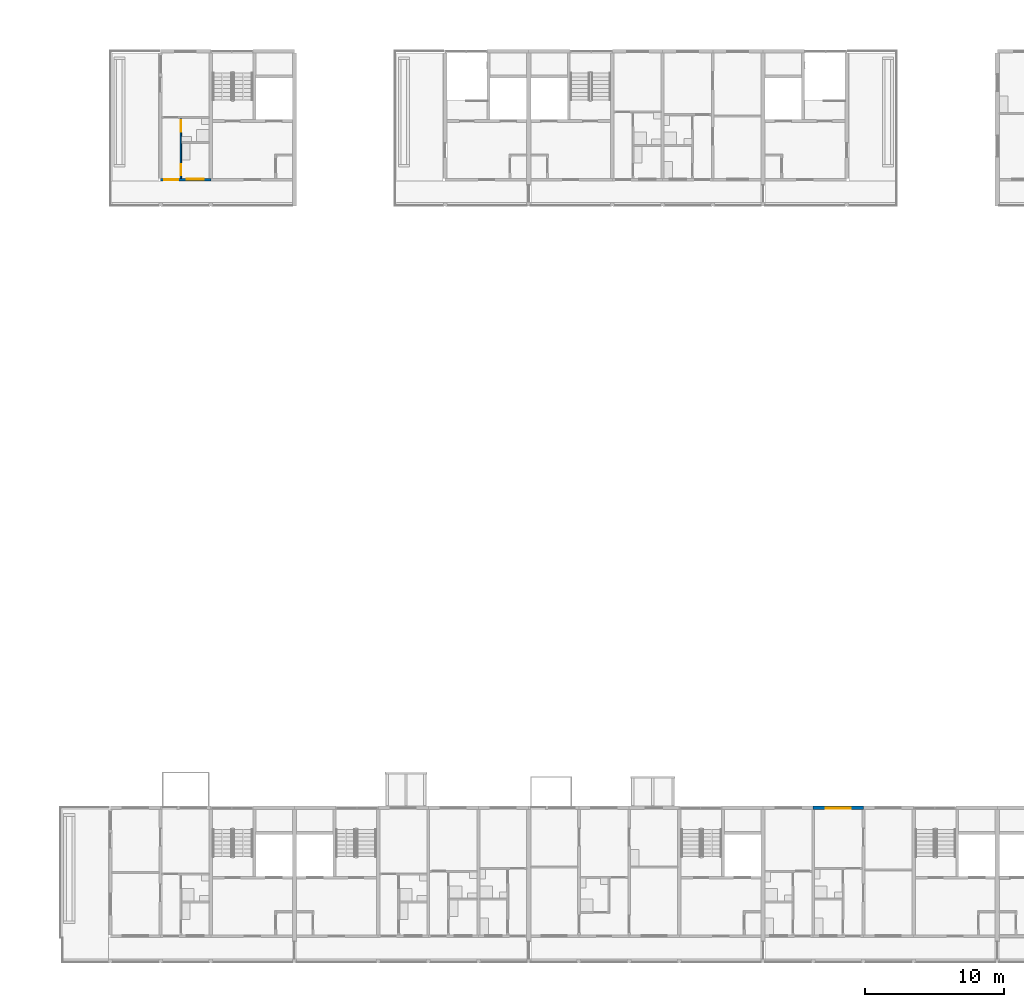
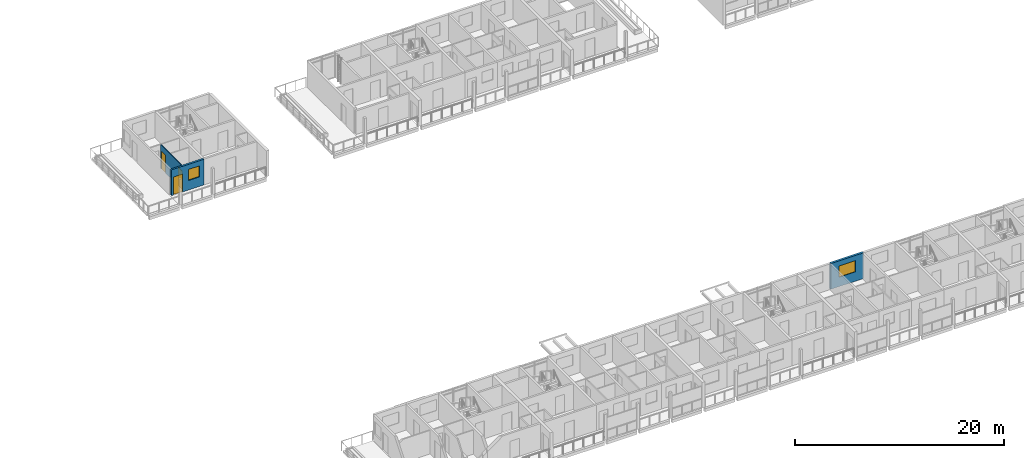
# One storey, part 51 of 87: 3 doors, 3 walls, 2 windows, 5 openings.
"""IFC4 building model written with IfcOpenShell, lengths in metres."""

from ifc_helpers import new_model, si_unit, direction, frame, frame_2d, origin, place, context, subcontext, project, spatial, rectangle, extrude, material, layer, layer_set, type_object, element, fill, save


model = new_model("IFC4")

# Units and contexts
model_context = context("Model", 3, precision=1e-05, world=origin(), true_north=direction((0.0, 1.0)))
body_context = subcontext(model_context, "Body", "Model", "MODEL_VIEW")
ifc_project = project(units=[si_unit("LENGTHUNIT", "METRE"), si_unit("AREAUNIT", "SQUARE_METRE"), si_unit("VOLUMEUNIT", "CUBIC_METRE"), si_unit("PLANEANGLEUNIT", "RADIAN"), si_unit("MASSUNIT", "GRAM", prefix="KILO")], contexts=[model_context])

# Site, building, storey
site_placement = place(None, origin())
site = spatial("IfcSite", under=ifc_project, at=site_placement, CompositionType="ELEMENT")
building_placement = place(site_placement, origin())
building = spatial("IfcBuilding", under=site, at=building_placement, Name="Ridgestep Commons", CompositionType="ELEMENT")
storey_placement = place(building_placement, frame((0.0, 0.0, 27.0)))
storey = spatial("IfcBuildingStorey", under=building, at=storey_placement, Name="L09", CompositionType="ELEMENT", Elevation=27.0)

# Wall, opening, window
ifc_material_1 = material(Name="Precast concrete C40/50", Category="concrete")
ifc_layer_1 = layer(ifc_material_1, 0.25)
ifc_layer_set_1 = layer_set([ifc_layer_1], Name="North facade panel 250")
wall_type_1 = type_object("IfcWallType", Name="North facade panel 250", PredefinedType="SOLIDWALL", material=ifc_layer_set_1)
wall_1_placement = place(storey_placement, frame((200.800048828125, 22.875, 0.0), z_axis=(0.0, 0.0, 1.0), x_axis=(1.0, 0.0, 0.0)))
wall_1 = element("IfcWall", 1, at=wall_1_placement, inside=storey, type_object=wall_type_1, Name="North panel D4T2 L09", PredefinedType="SOLIDWALL", context=body_context, shape_type="SweptSolid", body=[
    extrude(rectangle(XDim=3.599853515625, YDim=0.25, at=frame_2d((1.7998046875, 0.0))), origin(), (0.0, 0.0, 1.0), 3.0),
])
opening_1_placement = place(wall_1_placement, frame((0.89990234375, 0.0, 1.10009765625)))
opening_1 = element("IfcOpeningElement", 2, at=opening_1_placement, cuts=wall_1, Name="Opening W18", PredefinedType="OPENING", context=body_context, shape_type="SweptSolid", body=[
    extrude(rectangle(XDim=1.800048828125, YDim=1.300048828125, at=frame_2d((0.89990234375, 0.64990234375))), frame((0.0, 0.135009765625, 0.0), z_axis=(0.0, -1.0, 0.0), x_axis=(1.0, 0.0, 0.0)), (0.0, 0.0, 1.0), 0.27001953125),
])
ifc_material_2 = material(Name="Aluminium 6063-T6 and glass", Category="aluminium")
window_type_1 = type_object("IfcWindowType", Name="Flat window 1800 x 1300", PartitioningType="DOUBLE_PANEL_VERTICAL", PredefinedType="WINDOW", material=ifc_material_2)
window_1_placement = place(opening_1_placement, origin())
window_1 = element("IfcWindow", 3, at=window_1_placement, inside=storey, type_object=window_type_1, Name="Window D4-09b 4", OverallHeight=1.300048828125, OverallWidth=1.800048828125, PartitioningType="SINGLE_PANEL", PredefinedType="WINDOW", context=body_context, shape_type="SweptSolid", body=[
    extrude(rectangle(XDim=1.800048828125, YDim=1.300048828125, at=frame_2d((0.89990234375, 0.64990234375))), frame((0.0, -0.02490234375, 0.0), z_axis=(0.0, -1.0, 0.0), x_axis=(1.0, 0.0, 0.0)), (0.0, 0.0, 1.0), 0.06005859375),
])
fill(opening_1, window_1)

# Wall, openings, doors
ifc_material_3 = material(Name="Common brick 110 mm", Category="masonry")
ifc_layer_2 = layer(ifc_material_3, 0.110107421875)
ifc_layer_set_2 = layer_set([ifc_layer_2], Name="Partition 110")
wall_type_2 = type_object("IfcWallType", Name="Partition 110", PredefinedType="PARTITIONING", material=ifc_layer_set_2)
wall_2_placement = place(storey_placement, frame((155.455078125, 68.0, 0.0), z_axis=(0.0, 0.0, 1.0), x_axis=(0.0, 1.0, 0.0)))
wall_2 = element("IfcWall", 4, at=wall_2_placement, inside=storey, type_object=wall_type_2, Name="Partition C1-09a", PredefinedType="PARTITIONING", context=body_context, shape_type="SweptSolid", body=[
    extrude(rectangle(XDim=4.300048828125, YDim=0.110107421875, at=frame_2d((2.14990234375, 0.0))), origin(), (0.0, 0.0, 1.0), 2.75),
])
opening_2_placement = place(wall_2_placement, frame((0.199951171875, 0.0, 0.0)))
opening_2 = element("IfcOpeningElement", 5, at=opening_2_placement, cuts=wall_2, Name="Opening C1-09a/2", PredefinedType="OPENING", context=body_context, shape_type="SweptSolid", body=[
    extrude(rectangle(XDim=0.800048828125, YDim=2.10009765625, at=frame_2d((0.39990234375, 1.050048828125))), frame((0.0, 0.06494140625, 0.0), z_axis=(0.0, -1.0, 0.0), x_axis=(1.0, 0.0, 0.0)), (0.0, 0.0, 1.0), 0.130126953125),
])
opening_3_placement = place(wall_2_placement, frame((3.35009765625, 0.0, 0.0)))
opening_3 = element("IfcOpeningElement", 6, at=opening_3_placement, cuts=wall_2, Name="Opening C1-09a/3", PredefinedType="OPENING", context=body_context, shape_type="SweptSolid", body=[
    extrude(rectangle(XDim=0.800048828125, YDim=2.10009765625, at=frame_2d((0.39990234375, 1.050048828125))), frame((0.0, 0.06494140625, 0.0), z_axis=(0.0, -1.0, 0.0), x_axis=(1.0, 0.0, 0.0)), (0.0, 0.0, 1.0), 0.130126953125),
])
ifc_material_4 = material(Name="Timber door leaf", Category="wood")
door_type_1 = type_object("IfcDoorType", Name="Internal door 800 x 2100", OperationType="NOTDEFINED", PredefinedType="DOOR", material=ifc_material_4)
door_1_placement = place(opening_2_placement, origin())
door_1 = element("IfcDoor", 7, at=door_1_placement, inside=storey, type_object=door_type_1, Name="Internal door C1-09a/2", OperationType="SINGLE_SWING_RIGHT", OverallHeight=2.10009765625, OverallWidth=0.800048828125, PredefinedType="DOOR", context=body_context, shape_type="SweptSolid", body=[
    extrude(rectangle(XDim=0.800048828125, YDim=2.10009765625, at=frame_2d((0.39990234375, 1.050048828125))), frame((0.0, 0.02490234375, 0.0), z_axis=(0.0, -1.0, 0.0), x_axis=(1.0, 0.0, 0.0)), (0.0, 0.0, 1.0), 0.050048828125),
])
fill(opening_2, door_1)
door_2_placement = place(opening_3_placement, origin())
door_2 = element("IfcDoor", 8, at=door_2_placement, inside=storey, type_object=door_type_1, Name="Internal door C1-09a/3", OperationType="SINGLE_SWING_LEFT", OverallHeight=2.10009765625, OverallWidth=0.800048828125, PredefinedType="DOOR", context=body_context, shape_type="SweptSolid", body=[
    extrude(rectangle(XDim=0.800048828125, YDim=2.10009765625, at=frame_2d((0.39990234375, 1.050048828125))), frame((0.0, 0.02490234375, 0.0), z_axis=(0.0, -1.0, 0.0), x_axis=(1.0, 0.0, 0.0)), (0.0, 0.0, 1.0), 0.050048828125),
])
fill(opening_3, door_2)

# Wall, openings, door, window
ifc_material_5 = material(Name="Precast concrete C40/50", Category="concrete")
ifc_layer_3 = layer(ifc_material_5, 0.199951171875)
ifc_layer_set_3 = layer_set([ifc_layer_3], Name="South facade panel 200")
wall_type_3 = type_object("IfcWallType", Name="South facade panel 200", PredefinedType="SOLIDWALL", material=ifc_layer_set_3)
wall_3_placement = place(storey_placement, frame((154.0, 67.89990234375, 0.0), z_axis=(0.0, 0.0, 1.0), x_axis=(1.0, 0.0, 0.0)))
wall_3 = element("IfcWall", 9, at=wall_3_placement, inside=storey, type_object=wall_type_3, Name="South panel C1T3 L09", PredefinedType="SOLIDWALL", context=body_context, shape_type="SweptSolid", body=[
    extrude(rectangle(XDim=3.60009765625, YDim=0.199951171875, at=frame_2d((1.800048828125, 0.0))), origin(), (0.0, 0.0, 1.0), 3.0),
])
opening_4_placement = place(wall_3_placement, frame((1.892578125, 0.0, 1.10009765625)))
opening_4 = element("IfcOpeningElement", 10, at=opening_4_placement, cuts=wall_3, Name="Opening W08", PredefinedType="OPENING", context=body_context, shape_type="SweptSolid", body=[
    extrude(rectangle(XDim=1.199951171875, YDim=1.300048828125, at=frame_2d((0.60009765625, 0.64990234375))), frame((0.0, 0.10986328125, 0.0), z_axis=(0.0, -1.0, 0.0), x_axis=(1.0, 0.0, 0.0)), (0.0, 0.0, 1.0), 0.219970703125),
])
opening_5_placement = place(wall_3_placement, frame((0.25, 0.0, 0.0)))
opening_5 = element("IfcOpeningElement", 11, at=opening_5_placement, cuts=wall_3, Name="Opening C1-09a/1", PredefinedType="OPENING", context=body_context, shape_type="SweptSolid", body=[
    extrude(rectangle(XDim=1.0, YDim=2.10009765625, at=frame_2d((0.5, 1.050048828125))), frame((0.0, 0.10986328125, 0.0), z_axis=(0.0, -1.0, 0.0), x_axis=(1.0, 0.0, 0.0)), (0.0, 0.0, 1.0), 0.219970703125),
])
ifc_material_6 = material(Name="Timber door leaf", Category="wood")
door_type_2 = type_object("IfcDoorType", Name="Flat entrance door 1000 x 2100 FD30S", OperationType="NOTDEFINED", PredefinedType="DOOR", material=ifc_material_6)
door_3_placement = place(opening_5_placement, origin())
door_3 = element("IfcDoor", 12, at=door_3_placement, inside=storey, type_object=door_type_2, Name="Flat entrance door C1-09a/1", OperationType="SINGLE_SWING_LEFT", OverallHeight=2.10009765625, OverallWidth=1.0, PredefinedType="DOOR", context=body_context, shape_type="SweptSolid", body=[
    extrude(rectangle(XDim=1.0, YDim=2.10009765625, at=frame_2d((0.5, 1.050048828125))), frame((0.0, 0.02490234375, 0.0), z_axis=(0.0, -1.0, 0.0), x_axis=(1.0, 0.0, 0.0)), (0.0, 0.0, 1.0), 0.050048828125),
])
fill(opening_5, door_3)
ifc_material_7 = material(Name="Aluminium 6063-T6 and glass", Category="aluminium")
window_type_2 = type_object("IfcWindowType", Name="Flat window 1200 x 1300", PartitioningType="SINGLE_PANEL", PredefinedType="WINDOW", material=ifc_material_7)
window_2_placement = place(opening_4_placement, origin())
window_2 = element("IfcWindow", 13, at=window_2_placement, inside=storey, type_object=window_type_2, Name="Window C1-09a 1", OverallHeight=1.300048828125, OverallWidth=1.199951171875, PartitioningType="SINGLE_PANEL", PredefinedType="WINDOW", context=body_context, shape_type="SweptSolid", body=[
    extrude(rectangle(XDim=1.199951171875, YDim=1.300048828125, at=frame_2d((0.60009765625, 0.64990234375))), frame((0.0, 0.06005859375, 0.0), z_axis=(0.0, -1.0, 0.0), x_axis=(1.0, 0.0, 0.0)), (0.0, 0.0, 1.0), 0.06005859375),
])
fill(opening_4, window_2)

save(model, "model.ifc")
